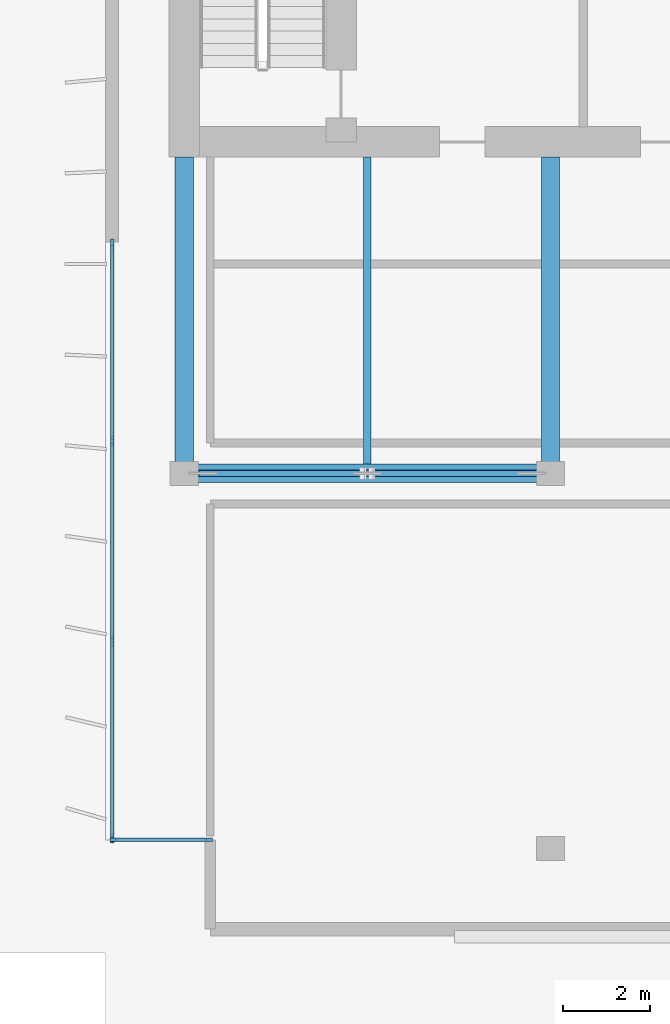
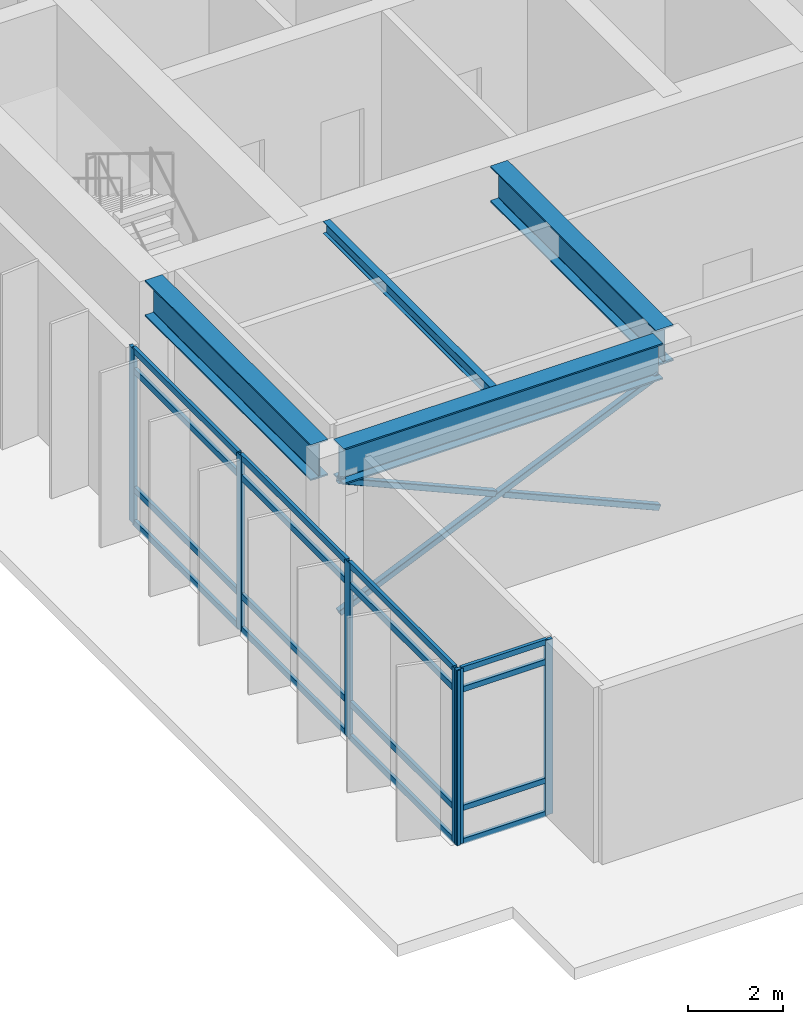
# One storey, part 2 of 10: 25 members, 4 beams, 2 elements without a shape of their own.
"""IFC4 building model written with IfcOpenShell, lengths in metres."""

from ifc_helpers import new_model, si_unit, direction, frame, origin, origin_2d, place, context, subcontext, project, spatial, rectangle, hollow_rectangle, i_section, extrude, material, layer, layer_set, material_profile, profile_set, type_object, element, aggregate, save


model = new_model("IFC4")

# Units and contexts
model_context = context("Model", 3, precision=1e-05, world=origin(), true_north=direction((0.0, 1.0)))
body_context = subcontext(model_context, "Body", "Model", "MODEL_VIEW")
ifc_project = project(units=[si_unit("LENGTHUNIT", "METRE"), si_unit("AREAUNIT", "SQUARE_METRE"), si_unit("VOLUMEUNIT", "CUBIC_METRE"), si_unit("PLANEANGLEUNIT", "RADIAN"), si_unit("MASSUNIT", "GRAM", prefix="KILO")], contexts=[model_context])

# Site, building, storey
site_placement = place(None, origin())
site = spatial("IfcSite", under=ifc_project, at=site_placement, CompositionType="ELEMENT")
building_placement = place(site_placement, origin())
building = spatial("IfcBuilding", under=site, at=building_placement, Name="Caelmar Bay Residences", CompositionType="ELEMENT")
storey_placement = place(building_placement, frame((0.0, 0.0, 295.60009765625)))
storey = spatial("IfcBuildingStorey", under=building, at=storey_placement, Name="L81", CompositionType="ELEMENT", Elevation=295.60009765625)

# Beams
ifc_material_1 = material(Name="Steel ASTM A992 Grade 50", Category="steel")
ifc_material_profile_1 = material_profile(ifc_material_1, i_section(OverallWidth=0.422119140625, OverallDepth=0.925048828125, WebThickness=0.021240234375, FlangeThickness=0.03662109375, FilletRadius=0.020263671875, at=origin_2d()), Name="W36X262")
ifc_profile_set_1 = profile_set([ifc_material_profile_1], Name="Steel ASTM A992 Grade 50")
beam_type_1 = type_object("IfcBeamType", Name="BM-GRD-W36X262", PredefinedType="BEAM", material=ifc_profile_set_1)
beam_1_placement = place(storey_placement, frame((18.614990234375, 29.39990234375, 4.037353515625), z_axis=(1.0, 0.0, 0.0), x_axis=(0.0, 1.0, 0.0)))
element("IfcBeam", 1, at=beam_1_placement, inside=storey, type_object=beam_type_1, Name="L81 East-West Girder Y=29.40 (18.3-26.7)", PredefinedType="BEAM", context=body_context, shape_type="SweptSolid", body=[
    extrude(i_section(OverallWidth=0.422119140625, OverallDepth=0.925048828125, WebThickness=0.021240234375, FlangeThickness=0.03662109375, FilletRadius=0.020263671875, at=origin_2d()), origin(), (0.0, 0.0, 1.0), 7.77001953125),
])
for number, where, z_axis, x_axis, name in (
    (2, (18.300048828125, 29.6650390625, 4.037353515625), (0.0, 1.0, 0.0), (-1.0, 0.0, 0.0), "L81 Core Tie Girder X=18.30"),
    (3, (26.699951171875, 29.6650390625, 4.037353515625), (0.0, 1.0, 0.0), (-1.0, 0.0, 0.0), "L81 Core Tie Girder X=26.70"),
):
    element("IfcBeam", number, at=place(storey_placement, frame(where, z_axis=z_axis, x_axis=x_axis)), inside=storey, type_object=beam_type_1, Name=name, PredefinedType="BEAM", context=body_context, shape_type="SweptSolid", body=[
        extrude(i_section(OverallWidth=0.422119140625, OverallDepth=0.925048828125, WebThickness=0.021240234375, FlangeThickness=0.03662109375, FilletRadius=0.020263671875, at=origin_2d()), origin(), (0.0, 0.0, 1.0), 6.98486328125),
    ])
ifc_material_profile_2 = material_profile(ifc_material_1, i_section(OverallWidth=0.1650390625, OverallDepth=0.31005859375, WebThickness=0.005859375, FlangeThickness=0.009765625, FilletRadius=0.007568359375, at=origin_2d()), Name="W12X26")
ifc_profile_set_2 = profile_set([ifc_material_profile_2], Name="Steel ASTM A992 Grade 50")
beam_type_2 = type_object("IfcBeamType", Name="BM-JST-W12X26", PredefinedType="JOIST", material=ifc_profile_set_2)
beam_2_placement = place(storey_placement, frame((22.5, 29.611083984375, 4.344970703125), z_axis=(0.0, 1.0, 0.0), x_axis=(-1.0, 0.0, 0.0)))
element("IfcBeam", 4, at=beam_2_placement, inside=storey, type_object=beam_type_2, Name="L81 Core-Band Composite Joist 1", PredefinedType="JOIST", context=body_context, shape_type="SweptSolid", body=[
    extrude(i_section(OverallWidth=0.1650390625, OverallDepth=0.31005859375, WebThickness=0.005859375, FlangeThickness=0.009765625, FilletRadius=0.007568359375, at=origin_2d()), origin(), (0.0, 0.0, 1.0), 7.038818359375),
])

# Curtain wall, members
ifc_material_2 = material(Name="Anodised bronze aluminium 6063-T6 and laminated glass", Category="aluminium")
ifc_layer_1 = layer(ifc_material_2, 0.179931640625)
ifc_layer_set_1 = layer_set([ifc_layer_1], Name="Anodised bronze aluminium 6063-T6 and laminated glass")
curtain_wall_type_1 = type_object("IfcCurtainWallType", Name="CW6-NTC", PredefinedType="NOTDEFINED", material=ifc_layer_set_1)
curtain_wall_1_placement = place(storey_placement, origin())
curtain_wall_1 = element("IfcCurtainWall", 5, at=curtain_wall_1_placement, inside=storey, type_object=curtain_wall_type_1, Name="CW6 curtain wall L81", PredefinedType="NOTDEFINED")
ifc_material_3 = material(Name="Anodised bronze aluminium 6063-T6", Category="aluminium")
ifc_material_profile_3 = material_profile(ifc_material_3, rectangle(XDim=0.080078125, YDim=0.179931640625, at=origin_2d()), Name="CWM-80X180")
ifc_profile_set_3 = profile_set([ifc_material_profile_3], Name="Anodised bronze aluminium 6063-T6")
member_type_1 = type_object("IfcMemberType", Name="CWM-180", PredefinedType="MULLION", material=ifc_profile_set_3)
member_1_placement = place(storey_placement, frame((16.68994140625, 21.0, 0.0), z_axis=(0.0, 0.0, 1.0), x_axis=(0.0, 1.0, 0.0)))
member_1 = element("IfcMember", 6, at=member_1_placement, type_object=member_type_1, Name="CW6 mullion 1", PredefinedType="MULLION", context=body_context, shape_type="SweptSolid", body=[
    extrude(rectangle(XDim=0.080078125, YDim=0.179931640625, at=origin_2d()), origin(), (0.0, 0.0, 1.0), 4.5),
])
member_2_placement = place(storey_placement, frame((18.860107421875, 21.0, 0.0), z_axis=(0.0, 0.0, 1.0), x_axis=(0.0, 1.0, 0.0)))
member_2 = element("IfcMember", 7, at=member_2_placement, type_object=member_type_1, Name="CW6 mullion 2", PredefinedType="MULLION", context=body_context, shape_type="SweptSolid", body=[
    extrude(rectangle(XDim=0.080078125, YDim=0.179931640625, at=origin_2d()), origin(), (0.0, 0.0, 1.0), 4.5),
])

ifc_layer_2 = layer(ifc_material_2, 0.179931640625)
ifc_layer_set_2 = layer_set([ifc_layer_2], Name="Anodised bronze aluminium 6063-T6 and laminated glass")
curtain_wall_type_2 = type_object("IfcCurtainWallType", Name="CW7-CRN", PredefinedType="NOTDEFINED", material=ifc_layer_set_2)
curtain_wall_2_placement = place(storey_placement, origin())
curtain_wall_2 = element("IfcCurtainWall", 8, at=curtain_wall_2_placement, inside=storey, type_object=curtain_wall_type_2, Name="CW7 curtain wall L81", PredefinedType="NOTDEFINED")
ifc_material_profile_4 = material_profile(ifc_material_3, rectangle(XDim=0.080078125, YDim=0.219970703125, at=origin_2d()), Name="CWM-80X220")
ifc_profile_set_4 = profile_set([ifc_material_profile_4], Name="Anodised bronze aluminium 6063-T6")
member_type_2 = type_object("IfcMemberType", Name="CWM-220", PredefinedType="MULLION", material=ifc_profile_set_4)
member_3_placement = place(storey_placement, frame((16.64990234375, 21.0400390625, 0.0), z_axis=(0.0, 0.0, 1.0), x_axis=(-1.0, 0.0, 0.0)))
member_3 = element("IfcMember", 9, at=member_3_placement, type_object=member_type_2, Name="CW7 mullion 1", PredefinedType="MULLION", context=body_context, shape_type="SweptSolid", body=[
    extrude(rectangle(XDim=0.080078125, YDim=0.219970703125, at=origin_2d()), origin(), (0.0, 0.0, 1.0), 4.5),
])
member_4_placement = place(storey_placement, frame((16.64990234375, 25.566650390625, 0.0), z_axis=(0.0, 0.0, 1.0), x_axis=(-1.0, 0.0, 0.0)))
member_4 = element("IfcMember", 10, at=member_4_placement, type_object=member_type_2, Name="CW7 mullion 2", PredefinedType="MULLION", context=body_context, shape_type="SweptSolid", body=[
    extrude(rectangle(XDim=0.080078125, YDim=0.219970703125, at=origin_2d()), origin(), (0.0, 0.0, 1.0), 4.5),
])
member_5_placement = place(storey_placement, frame((16.64990234375, 30.13330078125, 0.0), z_axis=(0.0, 0.0, 1.0), x_axis=(-1.0, 0.0, 0.0)))
member_5 = element("IfcMember", 11, at=member_5_placement, type_object=member_type_2, Name="CW7 mullion 3", PredefinedType="MULLION", context=body_context, shape_type="SweptSolid", body=[
    extrude(rectangle(XDim=0.080078125, YDim=0.219970703125, at=origin_2d()), origin(), (0.0, 0.0, 1.0), 4.5),
])
member_6_placement = place(storey_placement, frame((16.64990234375, 34.659912109375, 0.0), z_axis=(0.0, 0.0, 1.0), x_axis=(-1.0, 0.0, 0.0)))
member_6 = element("IfcMember", 12, at=member_6_placement, type_object=member_type_2, Name="CW7 mullion 4", PredefinedType="MULLION", context=body_context, shape_type="SweptSolid", body=[
    extrude(rectangle(XDim=0.080078125, YDim=0.219970703125, at=origin_2d()), origin(), (0.0, 0.0, 1.0), 4.5),
])

# Member
ifc_material_profile_5 = material_profile(ifc_material_3, rectangle(XDim=0.080078125, YDim=0.139892578125, at=origin_2d()), Name="CWT-80X140")
ifc_profile_set_5 = profile_set([ifc_material_profile_5], Name="Anodised bronze aluminium 6063-T6")
member_type_3 = type_object("IfcMemberType", Name="CWT-140", PredefinedType="NOTDEFINED", material=ifc_profile_set_5)
member_7_placement = place(storey_placement, frame((16.72998046875, 21.0, 0.039794921875), z_axis=(1.0, 0.0, 0.0), x_axis=(0.0, 1.0, 0.0)))
member_7 = element("IfcMember", 13, at=member_7_placement, type_object=member_type_3, Name="CW6 transom 1.1", ObjectType="TRANSOM", PredefinedType="USERDEFINED", context=body_context, shape_type="SweptSolid", body=[
    extrude(rectangle(XDim=0.080078125, YDim=0.139892578125, at=origin_2d()), origin(), (0.0, 0.0, 1.0), 2.090087890625),
])

member_8_placement = place(storey_placement, frame((16.72998046875, 21.0, 0.89990234375), z_axis=(1.0, 0.0, 0.0), x_axis=(0.0, 1.0, 0.0)))
member_8 = element("IfcMember", 14, at=member_8_placement, type_object=member_type_3, Name="CW6 transom 1.2", ObjectType="TRANSOM", PredefinedType="USERDEFINED", context=body_context, shape_type="SweptSolid", body=[
    extrude(rectangle(XDim=0.080078125, YDim=0.139892578125, at=origin_2d()), origin(), (0.0, 0.0, 1.0), 2.090087890625),
])

member_9_placement = place(storey_placement, frame((16.72998046875, 21.0, 3.949951171875), z_axis=(1.0, 0.0, 0.0), x_axis=(0.0, 1.0, 0.0)))
member_9 = element("IfcMember", 15, at=member_9_placement, type_object=member_type_3, Name="CW6 transom 1.3", ObjectType="TRANSOM", PredefinedType="USERDEFINED", context=body_context, shape_type="SweptSolid", body=[
    extrude(rectangle(XDim=0.080078125, YDim=0.139892578125, at=origin_2d()), origin(), (0.0, 0.0, 1.0), 2.090087890625),
])

member_10_placement = place(storey_placement, frame((16.72998046875, 21.0, 4.4599609375), z_axis=(1.0, 0.0, 0.0), x_axis=(0.0, 1.0, 0.0)))
member_10 = element("IfcMember", 16, at=member_10_placement, type_object=member_type_3, Name="CW6 transom 1.4", ObjectType="TRANSOM", PredefinedType="USERDEFINED", context=body_context, shape_type="SweptSolid", body=[
    extrude(rectangle(XDim=0.080078125, YDim=0.139892578125, at=origin_2d()), origin(), (0.0, 0.0, 1.0), 2.090087890625),
])

aggregate(curtain_wall_1, [member_1, member_2, member_7, member_8, member_9, member_10])

ifc_material_profile_6 = material_profile(ifc_material_3, rectangle(XDim=0.080078125, YDim=0.159912109375, at=origin_2d()), Name="CWT-80X160")
ifc_profile_set_6 = profile_set([ifc_material_profile_6], Name="Anodised bronze aluminium 6063-T6")
member_type_4 = type_object("IfcMemberType", Name="CWT-160", PredefinedType="NOTDEFINED", material=ifc_profile_set_6)
member_11_placement = place(storey_placement, frame((16.64990234375, 21.080078125, 0.039794921875), z_axis=(0.0, 1.0, 0.0), x_axis=(-1.0, 0.0, 0.0)))
member_11 = element("IfcMember", 17, at=member_11_placement, type_object=member_type_4, Name="CW7 transom 1.1", ObjectType="TRANSOM", PredefinedType="USERDEFINED", context=body_context, shape_type="SweptSolid", body=[
    extrude(rectangle(XDim=0.080078125, YDim=0.159912109375, at=origin_2d()), origin(), (0.0, 0.0, 1.0), 4.446533203125),
])

member_12_placement = place(storey_placement, frame((16.64990234375, 21.080078125, 0.89990234375), z_axis=(0.0, 1.0, 0.0), x_axis=(-1.0, 0.0, 0.0)))
member_12 = element("IfcMember", 18, at=member_12_placement, type_object=member_type_4, Name="CW7 transom 1.2", ObjectType="TRANSOM", PredefinedType="USERDEFINED", context=body_context, shape_type="SweptSolid", body=[
    extrude(rectangle(XDim=0.080078125, YDim=0.159912109375, at=origin_2d()), origin(), (0.0, 0.0, 1.0), 4.446533203125),
])

member_13_placement = place(storey_placement, frame((16.64990234375, 21.080078125, 3.949951171875), z_axis=(0.0, 1.0, 0.0), x_axis=(-1.0, 0.0, 0.0)))
member_13 = element("IfcMember", 19, at=member_13_placement, type_object=member_type_4, Name="CW7 transom 1.3", ObjectType="TRANSOM", PredefinedType="USERDEFINED", context=body_context, shape_type="SweptSolid", body=[
    extrude(rectangle(XDim=0.080078125, YDim=0.159912109375, at=origin_2d()), origin(), (0.0, 0.0, 1.0), 4.446533203125),
])

member_14_placement = place(storey_placement, frame((16.64990234375, 21.080078125, 4.4599609375), z_axis=(0.0, 1.0, 0.0), x_axis=(-1.0, 0.0, 0.0)))
member_14 = element("IfcMember", 20, at=member_14_placement, type_object=member_type_4, Name="CW7 transom 1.4", ObjectType="TRANSOM", PredefinedType="USERDEFINED", context=body_context, shape_type="SweptSolid", body=[
    extrude(rectangle(XDim=0.080078125, YDim=0.159912109375, at=origin_2d()), origin(), (0.0, 0.0, 1.0), 4.446533203125),
])

member_15_placement = place(storey_placement, frame((16.64990234375, 25.606689453125, 0.039794921875), z_axis=(0.0, 1.0, 0.0), x_axis=(-1.0, 0.0, 0.0)))
member_15 = element("IfcMember", 21, at=member_15_placement, type_object=member_type_4, Name="CW7 transom 2.1", ObjectType="TRANSOM", PredefinedType="USERDEFINED", context=body_context, shape_type="SweptSolid", body=[
    extrude(rectangle(XDim=0.080078125, YDim=0.159912109375, at=origin_2d()), origin(), (0.0, 0.0, 1.0), 4.486572265625),
])

member_16_placement = place(storey_placement, frame((16.64990234375, 25.606689453125, 0.89990234375), z_axis=(0.0, 1.0, 0.0), x_axis=(-1.0, 0.0, 0.0)))
member_16 = element("IfcMember", 22, at=member_16_placement, type_object=member_type_4, Name="CW7 transom 2.2", ObjectType="TRANSOM", PredefinedType="USERDEFINED", context=body_context, shape_type="SweptSolid", body=[
    extrude(rectangle(XDim=0.080078125, YDim=0.159912109375, at=origin_2d()), origin(), (0.0, 0.0, 1.0), 4.486572265625),
])

member_17_placement = place(storey_placement, frame((16.64990234375, 25.606689453125, 3.949951171875), z_axis=(0.0, 1.0, 0.0), x_axis=(-1.0, 0.0, 0.0)))
member_17 = element("IfcMember", 23, at=member_17_placement, type_object=member_type_4, Name="CW7 transom 2.3", ObjectType="TRANSOM", PredefinedType="USERDEFINED", context=body_context, shape_type="SweptSolid", body=[
    extrude(rectangle(XDim=0.080078125, YDim=0.159912109375, at=origin_2d()), origin(), (0.0, 0.0, 1.0), 4.486572265625),
])

member_18_placement = place(storey_placement, frame((16.64990234375, 25.606689453125, 4.4599609375), z_axis=(0.0, 1.0, 0.0), x_axis=(-1.0, 0.0, 0.0)))
member_18 = element("IfcMember", 24, at=member_18_placement, type_object=member_type_4, Name="CW7 transom 2.4", ObjectType="TRANSOM", PredefinedType="USERDEFINED", context=body_context, shape_type="SweptSolid", body=[
    extrude(rectangle(XDim=0.080078125, YDim=0.159912109375, at=origin_2d()), origin(), (0.0, 0.0, 1.0), 4.486572265625),
])

member_19_placement = place(storey_placement, frame((16.64990234375, 30.17333984375, 0.039794921875), z_axis=(0.0, 1.0, 0.0), x_axis=(-1.0, 0.0, 0.0)))
member_19 = element("IfcMember", 25, at=member_19_placement, type_object=member_type_4, Name="CW7 transom 3.1", ObjectType="TRANSOM", PredefinedType="USERDEFINED", context=body_context, shape_type="SweptSolid", body=[
    extrude(rectangle(XDim=0.080078125, YDim=0.159912109375, at=origin_2d()), origin(), (0.0, 0.0, 1.0), 4.44677734375),
])

member_20_placement = place(storey_placement, frame((16.64990234375, 30.17333984375, 0.89990234375), z_axis=(0.0, 1.0, 0.0), x_axis=(-1.0, 0.0, 0.0)))
member_20 = element("IfcMember", 26, at=member_20_placement, type_object=member_type_4, Name="CW7 transom 3.2", ObjectType="TRANSOM", PredefinedType="USERDEFINED", context=body_context, shape_type="SweptSolid", body=[
    extrude(rectangle(XDim=0.080078125, YDim=0.159912109375, at=origin_2d()), origin(), (0.0, 0.0, 1.0), 4.44677734375),
])

member_21_placement = place(storey_placement, frame((16.64990234375, 30.17333984375, 3.949951171875), z_axis=(0.0, 1.0, 0.0), x_axis=(-1.0, 0.0, 0.0)))
member_21 = element("IfcMember", 27, at=member_21_placement, type_object=member_type_4, Name="CW7 transom 3.3", ObjectType="TRANSOM", PredefinedType="USERDEFINED", context=body_context, shape_type="SweptSolid", body=[
    extrude(rectangle(XDim=0.080078125, YDim=0.159912109375, at=origin_2d()), origin(), (0.0, 0.0, 1.0), 4.44677734375),
])

member_22_placement = place(storey_placement, frame((16.64990234375, 30.17333984375, 4.4599609375), z_axis=(0.0, 1.0, 0.0), x_axis=(-1.0, 0.0, 0.0)))
member_22 = element("IfcMember", 28, at=member_22_placement, type_object=member_type_4, Name="CW7 transom 3.4", ObjectType="TRANSOM", PredefinedType="USERDEFINED", context=body_context, shape_type="SweptSolid", body=[
    extrude(rectangle(XDim=0.080078125, YDim=0.159912109375, at=origin_2d()), origin(), (0.0, 0.0, 1.0), 4.44677734375),
])

aggregate(curtain_wall_2, [member_3, member_4, member_5, member_6, member_11, member_12, member_13, member_14, member_15, member_16, member_17, member_18, member_19, member_20, member_21, member_22])

# Members
ifc_material_4 = material(Name="Steel ASTM A500 Grade C", Category="steel")
ifc_material_profile_7 = material_profile(ifc_material_4, hollow_rectangle(XDim=0.152099609375, YDim=0.152099609375, WallThickness=0.0087890625, InnerFilletRadius=0.0087890625, OuterFilletRadius=0.017822265625, at=origin_2d()), Name="HSS150X150X9.5")
ifc_profile_set_7 = profile_set([ifc_material_profile_7], Name="Steel ASTM A500 Grade C")
member_type_5 = type_object("IfcMemberType", Name="MEM-BRC-HSS150", PredefinedType="BRACE", material=ifc_profile_set_7)
member_23_placement = place(storey_placement, frame((18.614990234375, 29.39990234375, 0.179931640625), z_axis=(0.915701105969, 0.0, 0.401860031015), x_axis=(0.0, 1.0, 0.0)))
element("IfcMember", 29, at=member_23_placement, inside=storey, type_object=member_type_5, Name="L81 Crown X-Brace Continuous Diagonal 1", PredefinedType="BRACE", context=body_context, shape_type="SweptSolid", body=[
    extrude(hollow_rectangle(XDim=0.152099609375, YDim=0.152099609375, WallThickness=0.0087890625, InnerFilletRadius=0.0087890625, OuterFilletRadius=0.017822265625, at=origin_2d()), origin(), (0.0, 0.0, 1.0), 8.4853515625),
])
for number, where, z_axis, x_axis, name in (
    (30, (26.385009765625, 29.39990234375, 0.179931640625), (-0.915691747448, 0.0, 0.401881355198), (0.0, -1.0, 0.0), "L81 Crown X-Brace Lower Split Diagonal 1A"),
    (31, (22.39990234375, 29.39990234375, 1.9287109375), (-0.915691747448, 0.0, 0.401881355198), (0.0, -1.0, 0.0), "L81 Crown X-Brace Upper Split Diagonal 1B"),
):
    element("IfcMember", number, at=place(storey_placement, frame(where, z_axis=z_axis, x_axis=x_axis)), inside=storey, type_object=member_type_5, Name=name, PredefinedType="BRACE", context=body_context, shape_type="SweptSolid", body=[
        extrude(hollow_rectangle(XDim=0.152099609375, YDim=0.152099609375, WallThickness=0.0087890625, InnerFilletRadius=0.0087890625, OuterFilletRadius=0.017822265625, at=origin_2d()), origin(), (0.0, 0.0, 1.0), 4.13330078125),
    ])

save(model, "model.ifc")
